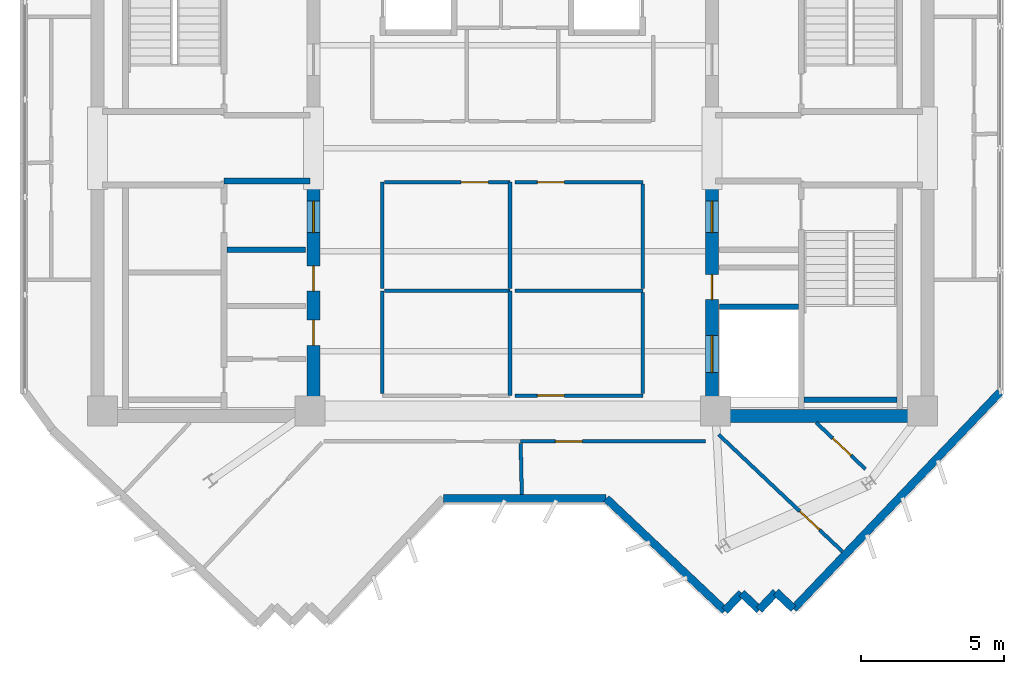
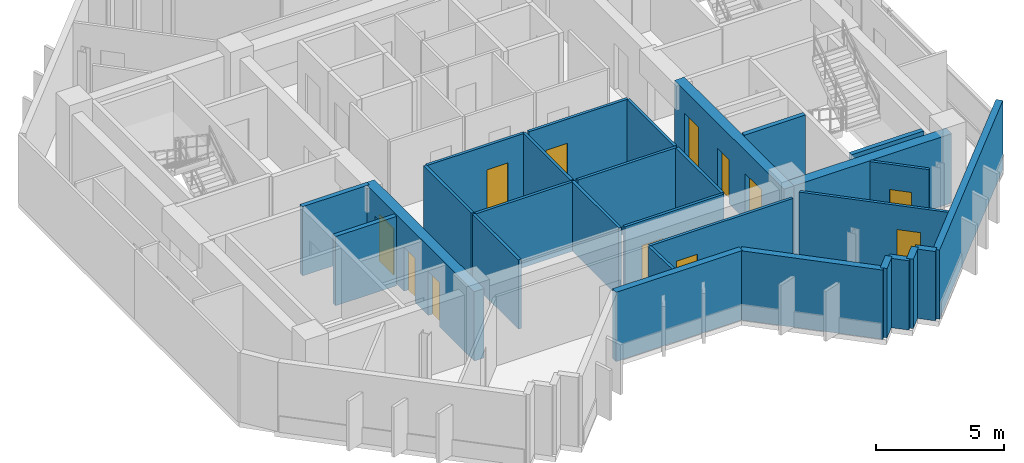
# One storey, part 4 of 9: 29 walls, 12 doors, 12 openings.
"""IFC4 building model written with IfcOpenShell, lengths in metres."""

from ifc_helpers import new_model, si_unit, direction, frame, frame_2d, origin, place, context, subcontext, project, spatial, rectangle, extrude, source, transform, mapped, material, layer, layer_set, type_object, element, fill, save


model = new_model("IFC4")

# Units and contexts
model_context = context("Model", 3, precision=1e-05, world=origin(), true_north=direction((0.0, 1.0)))
body_context = subcontext(model_context, "Body", "Model", "MODEL_VIEW")
ifc_project = project(units=[si_unit("LENGTHUNIT", "METRE"), si_unit("AREAUNIT", "SQUARE_METRE"), si_unit("VOLUMEUNIT", "CUBIC_METRE"), si_unit("PLANEANGLEUNIT", "RADIAN"), si_unit("MASSUNIT", "GRAM", prefix="KILO")], contexts=[model_context])

# Site, building, storey
site_placement = place(None, origin())
site = spatial("IfcSite", under=ifc_project, at=site_placement, CompositionType="ELEMENT")
building_placement = place(site_placement, origin())
building = spatial("IfcBuilding", under=site, at=building_placement, Name="Zahravan Cultural Tower", CompositionType="ELEMENT")
storey_placement = place(building_placement, frame((0.0, 0.0, 310.35009765625)))
storey = spatial("IfcBuildingStorey", under=building, at=storey_placement, Name="L75", CompositionType="ELEMENT", Elevation=310.35009765625)

# Wall, openings, doors
ifc_material_1 = material(Name="Concrete C50/60", Category="concrete")
ifc_layer_1 = layer(ifc_material_1, 0.449951171875)
ifc_layer_set_1 = layer_set([ifc_layer_1], Name="Concrete C50/60")
wall_type_1 = type_object("IfcWallType", Name="CW-SHEAR-450-C50", PredefinedType="SHEAR", material=ifc_layer_set_1)
wall_1_placement = place(storey_placement, frame((29.02490234375, 17.39990234375, 0.0), z_axis=(0.0, 0.0, 1.0), x_axis=(0.0, 1.0, 0.0)))
wall_1 = element("IfcWall", 1, at=wall_1_placement, inside=storey, type_object=wall_type_1, Name="L75 Core Shear Wall CW-W-ES-L75", PredefinedType="SHEAR", context=body_context, shape_type="SweptSolid", body=[
    extrude(rectangle(XDim=8.550048828125, YDim=0.449951171875, at=frame_2d((4.27490234375, 0.0))), origin(), (0.0, 0.0, 1.0), 3.2998046875),
])
opening_1_placement = place(wall_1_placement, frame((6.64990234375, 0.0, 0.0)))
opening_1 = element("IfcOpeningElement", 2, at=opening_1_placement, cuts=wall_1, Name="Opening D-L75-08", PredefinedType="OPENING", context=body_context, shape_type="SweptSolid", body=[
    extrude(rectangle(XDim=1.10009765625, YDim=2.199951171875, at=frame_2d((0.550048828125, 1.10009765625))), frame((0.0, 0.23486328125, 0.0), z_axis=(0.0, -1.0, 0.0), x_axis=(1.0, 0.0, 0.0)), (0.0, 0.0, 1.0), 0.469970703125),
])
opening_2_placement = place(wall_1_placement, frame((2.699951171875, 0.0, 0.0)))
opening_2 = element("IfcOpeningElement", 3, at=opening_2_placement, cuts=wall_1, Name="Opening D-L75-11", PredefinedType="OPENING", context=body_context, shape_type="SweptSolid", body=[
    extrude(rectangle(XDim=0.8798828125, YDim=2.10009765625, at=frame_2d((0.43994140625, 1.050048828125))), frame((0.0, 0.23486328125, 0.0), z_axis=(0.0, -1.0, 0.0), x_axis=(1.0, 0.0, 0.0)), (0.0, 0.0, 1.0), 0.469970703125),
])
opening_3_placement = place(wall_1_placement, frame((4.60009765625, 0.0, 0.0)))
opening_3 = element("IfcOpeningElement", 4, at=opening_3_placement, cuts=wall_1, Name="Opening D-L75-12", PredefinedType="OPENING", context=body_context, shape_type="SweptSolid", body=[
    extrude(rectangle(XDim=0.8798828125, YDim=2.10009765625, at=frame_2d((0.43994140625, 1.050048828125))), frame((0.0, 0.23486328125, 0.0), z_axis=(0.0, -1.0, 0.0), x_axis=(1.0, 0.0, 0.0)), (0.0, 0.0, 1.0), 0.469970703125),
])
ifc_material_2 = material(Name="Steel ASTM A572 Grade 50", Category="steel")
door_type_1 = type_object("IfcDoorType", Name="DR-LOBBY-1100", OperationType="NOTDEFINED", PredefinedType="DOOR", material=ifc_material_2)
shared_shape_1 = source(origin(), body_context, "Body", "SweptSolid", [
    extrude(rectangle(XDim=1.10009765625, YDim=2.199951171875, at=frame_2d((0.550048828125, 1.10009765625))), frame((0.0, 0.02490234375, 0.0), z_axis=(0.0, -1.0, 0.0), x_axis=(1.0, 0.0, 0.0)), (0.0, 0.0, 1.0), 0.050048828125),
])
door_1_placement = place(opening_1_placement, origin())
door_1 = element("IfcDoor", 5, at=door_1_placement, inside=storey, type_object=door_type_1, Name="L75 Door D-L75-08", OperationType="SINGLE_SWING_RIGHT", OverallHeight=2.199951171875, OverallWidth=1.10009765625, PredefinedType="DOOR", context=body_context, shape_type="MappedRepresentation", body=[
    mapped(shared_shape_1, transform((0.0, 0.0, 0.0), x_axis=(1.0, 0.0, 0.0), y_axis=(0.0, 1.0, 0.0), z_axis=(0.0, 0.0, 1.0), scale=1.0)),
])
fill(opening_1, door_1)
door_type_2 = type_object("IfcDoorType", Name="DR-SVC-880", OperationType="NOTDEFINED", PredefinedType="DOOR", material=ifc_material_2)
shared_shape_2 = source(origin(), body_context, "Body", "SweptSolid", [
    extrude(rectangle(XDim=0.8798828125, YDim=2.10009765625, at=frame_2d((0.43994140625, 1.050048828125))), frame((0.0, 0.02490234375, 0.0), z_axis=(0.0, -1.0, 0.0), x_axis=(1.0, 0.0, 0.0)), (0.0, 0.0, 1.0), 0.050048828125),
])
door_2_placement = place(opening_2_placement, origin())
door_2 = element("IfcDoor", 6, at=door_2_placement, inside=storey, type_object=door_type_2, Name="L75 Door D-L75-11", OperationType="SINGLE_SWING_LEFT", OverallHeight=2.10009765625, OverallWidth=0.8798828125, PredefinedType="DOOR", context=body_context, shape_type="MappedRepresentation", body=[
    mapped(shared_shape_2, transform((0.0, 0.0, 0.0), x_axis=(1.0, 0.0, 0.0), y_axis=(0.0, 1.0, 0.0), z_axis=(0.0, 0.0, 1.0), scale=1.0)),
])
fill(opening_2, door_2)
door_3_placement = place(opening_3_placement, origin())
door_3 = element("IfcDoor", 7, at=door_3_placement, inside=storey, type_object=door_type_2, Name="L75 Door D-L75-12", OperationType="SINGLE_SWING_RIGHT", OverallHeight=2.10009765625, OverallWidth=0.8798828125, PredefinedType="DOOR", context=body_context, shape_type="MappedRepresentation", body=[
    mapped(shared_shape_2, transform((0.0, 0.0, 0.0), x_axis=(1.0, 0.0, 0.0), y_axis=(0.0, 1.0, 0.0), z_axis=(0.0, 0.0, 1.0), scale=1.0)),
])
fill(opening_3, door_3)

wall_2_placement = place(storey_placement, frame((42.97509765625, 17.39990234375, 0.0), z_axis=(0.0, 0.0, 1.0), x_axis=(0.0, 1.0, 0.0)))
wall_2 = element("IfcWall", 8, at=wall_2_placement, inside=storey, type_object=wall_type_1, Name="L75 Core Shear Wall CW-E-WS-L75", PredefinedType="SHEAR", context=body_context, shape_type="SweptSolid", body=[
    extrude(rectangle(XDim=8.550048828125, YDim=0.449951171875, at=frame_2d((4.27490234375, 0.0))), origin(), (0.0, 0.0, 1.0), 3.2998046875),
])
opening_4_placement = place(wall_2_placement, frame((6.64990234375, 0.0, 0.0)))
opening_4 = element("IfcOpeningElement", 9, at=opening_4_placement, cuts=wall_2, Name="Opening D-L75-09", PredefinedType="OPENING", context=body_context, shape_type="SweptSolid", body=[
    extrude(rectangle(XDim=1.10009765625, YDim=2.199951171875, at=frame_2d((0.550048828125, 1.10009765625))), frame((0.0, 0.23486328125, 0.0), z_axis=(0.0, -1.0, 0.0), x_axis=(1.0, 0.0, 0.0)), (0.0, 0.0, 1.0), 0.469970703125),
])
opening_5_placement = place(wall_2_placement, frame((1.75, 0.0, 0.0)))
opening_5 = element("IfcOpeningElement", 10, at=opening_5_placement, cuts=wall_2, Name="Opening LD-L75-03", PredefinedType="OPENING", context=body_context, shape_type="SweptSolid", body=[
    extrude(rectangle(XDim=1.300048828125, YDim=2.199951171875, at=frame_2d((0.64990234375, 1.10009765625))), frame((0.0, 0.23486328125, 0.0), z_axis=(0.0, -1.0, 0.0), x_axis=(1.0, 0.0, 0.0)), (0.0, 0.0, 1.0), 0.469970703125),
])
opening_6_placement = place(wall_2_placement, frame((4.300048828125, 0.0, 0.0)))
opening_6 = element("IfcOpeningElement", 11, at=opening_6_placement, cuts=wall_2, Name="Opening D-L75-13", PredefinedType="OPENING", context=body_context, shape_type="SweptSolid", body=[
    extrude(rectangle(XDim=0.8798828125, YDim=2.10009765625, at=frame_2d((0.43994140625, 1.050048828125))), frame((0.0, 0.23486328125, 0.0), z_axis=(0.0, -1.0, 0.0), x_axis=(1.0, 0.0, 0.0)), (0.0, 0.0, 1.0), 0.469970703125),
])
door_4_placement = place(opening_4_placement, origin())
door_4 = element("IfcDoor", 12, at=door_4_placement, inside=storey, type_object=door_type_1, Name="L75 Door D-L75-09", OperationType="SINGLE_SWING_LEFT", OverallHeight=2.199951171875, OverallWidth=1.10009765625, PredefinedType="DOOR", context=body_context, shape_type="MappedRepresentation", body=[
    mapped(shared_shape_1, transform((0.0, 0.0, 0.0), x_axis=(1.0, 0.0, 0.0), y_axis=(0.0, 1.0, 0.0), z_axis=(0.0, 0.0, 1.0), scale=1.0)),
])
fill(opening_4, door_4)
door_type_3 = type_object("IfcDoorType", Name="DR-LIFT-1300", OperationType="DOUBLE_DOOR_SLIDING", PredefinedType="DOOR", material=ifc_material_2)
shared_shape_3 = source(origin(), body_context, "Body", "SweptSolid", [
    extrude(rectangle(XDim=1.300048828125, YDim=2.199951171875, at=frame_2d((0.64990234375, 1.10009765625))), frame((0.0, 0.02490234375, 0.0), z_axis=(0.0, -1.0, 0.0), x_axis=(1.0, 0.0, 0.0)), (0.0, 0.0, 1.0), 0.050048828125),
])
door_5_placement = place(opening_5_placement, origin())
door_5 = element("IfcDoor", 13, at=door_5_placement, inside=storey, type_object=door_type_3, Name="L75 Door LD-L75-03", OperationType="DOUBLE_DOOR_SLIDING", OverallHeight=2.199951171875, OverallWidth=1.300048828125, PredefinedType="DOOR", context=body_context, shape_type="MappedRepresentation", body=[
    mapped(shared_shape_3, transform((0.0, 0.0, 0.0), x_axis=(1.0, 0.0, 0.0), y_axis=(0.0, 1.0, 0.0), z_axis=(0.0, 0.0, 1.0), scale=1.0)),
])
fill(opening_5, door_5)
door_6_placement = place(opening_6_placement, origin())
door_6 = element("IfcDoor", 14, at=door_6_placement, inside=storey, type_object=door_type_2, Name="L75 Door D-L75-13", OperationType="SINGLE_SWING_LEFT", OverallHeight=2.10009765625, OverallWidth=0.8798828125, PredefinedType="DOOR", context=body_context, shape_type="MappedRepresentation", body=[
    mapped(shared_shape_2, transform((0.0, 0.0, 0.0), x_axis=(1.0, 0.0, 0.0), y_axis=(0.0, 1.0, 0.0), z_axis=(0.0, 0.0, 1.0), scale=1.0)),
])
fill(opening_6, door_6)

# Wall, opening, door
ifc_material_3 = material(Name="Gypsum plasterboard partition")
ifc_layer_2 = layer(ifc_material_3, 0.125)
ifc_layer_set_2 = layer_set([ifc_layer_2], Name="Gypsum plasterboard partition")
wall_type_2 = type_object("IfcWallType", Name="W-PART-125", PredefinedType="PARTITIONING", material=ifc_layer_set_2)
wall_3_placement = place(storey_placement, frame((48.348876953125, 15.769287109375, 0.0), z_axis=(0.0, 0.0, 1.0), x_axis=(-0.726735597886, 0.686917295433, 0.0)))
wall_3 = element("IfcWall", 15, at=wall_3_placement, inside=storey, type_object=wall_type_2, Name="L75 Interior Wall 052", PredefinedType="PARTITIONING", context=body_context, shape_type="SweptSolid", body=[
    extrude(rectangle(XDim=2.36669921875, YDim=0.125, at=frame_2d((1.183349609375, 0.0))), origin(), (0.0, 0.0, 1.0), 3.2998046875),
])
opening_7_placement = place(wall_3_placement, frame((0.6923828125, 0.0, 0.0)))
opening_7 = element("IfcOpeningElement", 16, at=opening_7_placement, cuts=wall_3, Name="Opening D-L75-37", PredefinedType="OPENING", context=body_context, shape_type="SweptSolid", body=[
    extrude(rectangle(XDim=0.8798828125, YDim=2.10009765625, at=frame_2d((0.43994140625, 1.050048828125))), frame((0.0, 0.072509765625, 0.0), z_axis=(0.0, -1.0, 0.0), x_axis=(1.0, 0.0, 0.0)), (0.0, 0.0, 1.0), 0.14501953125),
])
ifc_material_4 = material(Name="Anodised bronze-aluminium mullion", Category="aluminium")
door_type_4 = type_object("IfcDoorType", Name="DR-ROOM-880", OperationType="NOTDEFINED", PredefinedType="DOOR", material=ifc_material_4)
door_7_placement = place(opening_7_placement, origin())
door_7 = element("IfcDoor", 17, at=door_7_placement, inside=storey, type_object=door_type_4, Name="L75 Door D-L75-37", OperationType="SINGLE_SWING_LEFT", OverallHeight=2.10009765625, OverallWidth=0.8798828125, PredefinedType="DOOR", context=body_context, shape_type="MappedRepresentation", body=[
    mapped(shared_shape_2, transform((0.0, 0.0, 0.0), x_axis=(1.0, 0.0, 0.0), y_axis=(0.0, 1.0, 0.0), z_axis=(0.0, 0.0, 1.0), scale=1.0)),
])
fill(opening_7, door_7)

wall_4_placement = place(storey_placement, frame((47.54443359375, 12.88330078125, 0.0), z_axis=(0.0, 0.0, 1.0), x_axis=(-0.726761082497, 0.686890332562, 0.0)))
wall_4 = element("IfcWall", 18, at=wall_4_placement, inside=storey, type_object=wall_type_2, Name="L75 Interior Wall 061", PredefinedType="PARTITIONING", context=body_context, shape_type="SweptSolid", body=[
    extrude(rectangle(XDim=5.964111328125, YDim=0.125, at=frame_2d((2.98193359375, 0.0))), origin(), (0.0, 0.0, 1.0), 3.2998046875),
])
opening_8_placement = place(wall_4_placement, frame((1.10302734375, 0.0, 0.0)))
opening_8 = element("IfcOpeningElement", 19, at=opening_8_placement, cuts=wall_4, Name="Opening D-L75-35", PredefinedType="OPENING", context=body_context, shape_type="SweptSolid", body=[
    extrude(rectangle(XDim=0.949951171875, YDim=2.14990234375, at=frame_2d((0.47509765625, 1.074951171875))), frame((0.0, 0.072509765625, 0.0), z_axis=(0.0, -1.0, 0.0), x_axis=(1.0, 0.0, 0.0)), (0.0, 0.0, 1.0), 0.14501953125),
])
door_type_5 = type_object("IfcDoorType", Name="DR-ROOM-950", OperationType="NOTDEFINED", PredefinedType="DOOR", material=ifc_material_4)
shared_shape_4 = source(origin(), body_context, "Body", "SweptSolid", [
    extrude(rectangle(XDim=0.949951171875, YDim=2.14990234375, at=frame_2d((0.47509765625, 1.074951171875))), frame((0.0, 0.02490234375, 0.0), z_axis=(0.0, -1.0, 0.0), x_axis=(1.0, 0.0, 0.0)), (0.0, 0.0, 1.0), 0.050048828125),
])
door_8_placement = place(opening_8_placement, origin())
door_8 = element("IfcDoor", 20, at=door_8_placement, inside=storey, type_object=door_type_5, Name="L75 Door D-L75-35", OperationType="SINGLE_SWING_LEFT", OverallHeight=2.14990234375, OverallWidth=0.949951171875, PredefinedType="DOOR", context=body_context, shape_type="MappedRepresentation", body=[
    mapped(shared_shape_4, transform((0.0, 0.0, 0.0), x_axis=(1.0, 0.0, 0.0), y_axis=(0.0, 1.0, 0.0), z_axis=(0.0, 0.0, 1.0), scale=1.0)),
])
fill(opening_8, door_8)

wall_5_placement = place(storey_placement, frame((40.56005859375, 18.340087890625, 0.0), z_axis=(0.0, 0.0, 1.0), x_axis=(-1.0, 0.0, 0.0)))
wall_5 = element("IfcWall", 21, at=wall_5_placement, inside=storey, type_object=wall_type_2, Name="L75 Interior Wall 066", PredefinedType="PARTITIONING", context=body_context, shape_type="SweptSolid", body=[
    extrude(rectangle(XDim=4.469970703125, YDim=0.125, at=frame_2d((2.23486328125, 0.0))), origin(), (0.0, 0.0, 1.0), 3.2998046875),
])
opening_9_placement = place(wall_5_placement, frame((2.74560546875, 0.0, 0.0)))
opening_9 = element("IfcOpeningElement", 22, at=opening_9_placement, cuts=wall_5, Name="Opening D-L75-16", PredefinedType="OPENING", context=body_context, shape_type="SweptSolid", body=[
    extrude(rectangle(XDim=0.949951171875, YDim=2.14990234375, at=frame_2d((0.47509765625, 1.074951171875))), frame((0.0, 0.072509765625, 0.0), z_axis=(0.0, -1.0, 0.0), x_axis=(1.0, 0.0, 0.0)), (0.0, 0.0, 1.0), 0.14501953125),
])
door_9_placement = place(opening_9_placement, origin())
door_9 = element("IfcDoor", 23, at=door_9_placement, inside=storey, type_object=door_type_5, Name="L75 Door D-L75-16", OperationType="SINGLE_SWING_RIGHT", OverallHeight=2.14990234375, OverallWidth=0.949951171875, PredefinedType="DOOR", context=body_context, shape_type="MappedRepresentation", body=[
    mapped(shared_shape_4, transform((0.0, 0.0, 0.0), x_axis=(1.0, 0.0, 0.0), y_axis=(0.0, 1.0, 0.0), z_axis=(0.0, 0.0, 1.0), scale=1.0)),
])
fill(opening_9, door_9)

wall_6_placement = place(storey_placement, frame((31.507568359375, 25.81005859375, 0.0), z_axis=(0.0, 0.0, 1.0), x_axis=(1.0, 0.0, 0.0)))
wall_6 = element("IfcWall", 24, at=wall_6_placement, inside=storey, type_object=wall_type_2, Name="L75 Interior Wall 070", PredefinedType="PARTITIONING", context=body_context, shape_type="SweptSolid", body=[
    extrude(rectangle(XDim=4.40234375, YDim=0.125, at=frame_2d((2.201171875, 0.0))), origin(), (0.0, 0.0, 1.0), 3.2998046875),
])
opening_10_placement = place(wall_6_placement, frame((2.69287109375, 0.0, 0.0)))
opening_10 = element("IfcOpeningElement", 25, at=opening_10_placement, cuts=wall_6, Name="Opening D-L75-15", PredefinedType="OPENING", context=body_context, shape_type="SweptSolid", body=[
    extrude(rectangle(XDim=0.949951171875, YDim=2.14990234375, at=frame_2d((0.47509765625, 1.074951171875))), frame((0.0, 0.072509765625, 0.0), z_axis=(0.0, -1.0, 0.0), x_axis=(1.0, 0.0, 0.0)), (0.0, 0.0, 1.0), 0.14501953125),
])
door_10_placement = place(opening_10_placement, origin())
door_10 = element("IfcDoor", 26, at=door_10_placement, inside=storey, type_object=door_type_5, Name="L75 Door D-L75-15", OperationType="SINGLE_SWING_LEFT", OverallHeight=2.14990234375, OverallWidth=0.949951171875, PredefinedType="DOOR", context=body_context, shape_type="MappedRepresentation", body=[
    mapped(shared_shape_4, transform((0.0, 0.0, 0.0), x_axis=(1.0, 0.0, 0.0), y_axis=(0.0, 1.0, 0.0), z_axis=(0.0, 0.0, 1.0), scale=1.0)),
])
fill(opening_10, door_10)

wall_7_placement = place(storey_placement, frame((36.090087890625, 25.81005859375, 0.0), z_axis=(0.0, 0.0, 1.0), x_axis=(1.0, 0.0, 0.0)))
wall_7 = element("IfcWall", 27, at=wall_7_placement, inside=storey, type_object=wall_type_2, Name="L75 Interior Wall 072", PredefinedType="PARTITIONING", context=body_context, shape_type="SweptSolid", body=[
    extrude(rectangle(XDim=4.469970703125, YDim=0.125, at=frame_2d((2.23486328125, 0.0))), origin(), (0.0, 0.0, 1.0), 3.2998046875),
])
opening_11_placement = place(wall_7_placement, frame((0.7744140625, 0.0, 0.0)))
opening_11 = element("IfcOpeningElement", 28, at=opening_11_placement, cuts=wall_7, Name="Opening D-L75-17", PredefinedType="OPENING", context=body_context, shape_type="SweptSolid", body=[
    extrude(rectangle(XDim=0.949951171875, YDim=2.14990234375, at=frame_2d((0.47509765625, 1.074951171875))), frame((0.0, 0.072509765625, 0.0), z_axis=(0.0, -1.0, 0.0), x_axis=(1.0, 0.0, 0.0)), (0.0, 0.0, 1.0), 0.14501953125),
])
door_11_placement = place(opening_11_placement, origin())
door_11 = element("IfcDoor", 29, at=door_11_placement, inside=storey, type_object=door_type_5, Name="L75 Door D-L75-17", OperationType="SINGLE_SWING_LEFT", OverallHeight=2.14990234375, OverallWidth=0.949951171875, PredefinedType="DOOR", context=body_context, shape_type="MappedRepresentation", body=[
    mapped(shared_shape_4, transform((0.0, 0.0, 0.0), x_axis=(1.0, 0.0, 0.0), y_axis=(0.0, 1.0, 0.0), z_axis=(0.0, 0.0, 1.0), scale=1.0)),
])
fill(opening_11, door_11)

wall_8_placement = place(storey_placement, frame((36.27978515625, 16.739990234375, 0.0), z_axis=(0.0, 0.0, 1.0), x_axis=(1.0, 0.0, 0.0)))
wall_8 = element("IfcWall", 30, at=wall_8_placement, inside=storey, type_object=wall_type_2, Name="L75 Interior Wall 092", PredefinedType="PARTITIONING", context=body_context, shape_type="SweptSolid", body=[
    extrude(rectangle(XDim=6.46435546875, YDim=0.125, at=frame_2d((3.232177734375, 0.0))), origin(), (0.0, 0.0, 1.0), 3.2998046875),
])
opening_12_placement = place(wall_8_placement, frame((1.213134765625, 0.0, 0.0)))
opening_12 = element("IfcOpeningElement", 31, at=opening_12_placement, cuts=wall_8, Name="Opening D-L75-29", PredefinedType="OPENING", context=body_context, shape_type="SweptSolid", body=[
    extrude(rectangle(XDim=0.949951171875, YDim=2.14990234375, at=frame_2d((0.47509765625, 1.074951171875))), frame((0.0, 0.072509765625, 0.0), z_axis=(0.0, -1.0, 0.0), x_axis=(1.0, 0.0, 0.0)), (0.0, 0.0, 1.0), 0.14501953125),
])
door_12_placement = place(opening_12_placement, origin())
door_12 = element("IfcDoor", 32, at=door_12_placement, inside=storey, type_object=door_type_5, Name="L75 Door D-L75-29", OperationType="SINGLE_SWING_LEFT", OverallHeight=2.14990234375, OverallWidth=0.949951171875, PredefinedType="DOOR", context=body_context, shape_type="MappedRepresentation", body=[
    mapped(shared_shape_4, transform((0.0, 0.0, 0.0), x_axis=(1.0, 0.0, 0.0), y_axis=(0.0, 1.0, 0.0), z_axis=(0.0, 0.0, 1.0), scale=1.0)),
])
fill(opening_12, door_12)

# Walls
shared_shape_5 = source(origin(), body_context, "Body", "SweptSolid", [
    extrude(rectangle(XDim=7.10009765625, YDim=0.449951171875, at=frame_2d((3.550048828125, 0.0))), origin(), (0.0, 0.0, 1.0), 3.2998046875),
])
wall_9_placement = place(storey_placement, frame((43.199951171875, 17.625, 0.0), z_axis=(0.0, 0.0, 1.0), x_axis=(1.0, 0.0, 0.0)))
element("IfcWall", 33, at=wall_9_placement, inside=storey, type_object=wall_type_1, Name="L75 Core Shear Wall CW-E-S-L75", PredefinedType="SHEAR", context=body_context, shape_type="MappedRepresentation", body=[
    mapped(shared_shape_5, transform((0.0, 0.0, 0.0), x_axis=(1.0, 0.0, 0.0), y_axis=(0.0, 1.0, 0.0), z_axis=(0.0, 0.0, 1.0), scale=1.0)),
])
ifc_material_5 = material(Name="Precast concrete C40/50", Category="concrete")
ifc_layer_3 = layer(ifc_material_5, 0.280029296875)
ifc_layer_set_3 = layer_set([ifc_layer_3], Name="Precast concrete C40/50")
wall_type_3 = type_object("IfcWallType", Name="EW-TC-280", PredefinedType="SOLIDWALL", material=ifc_layer_set_3)
shared_shape_6 = source(origin(), body_context, "Body", "SweptSolid", [
    extrude(rectangle(XDim=0.849853515625, YDim=0.280029296875, at=frame_2d((0.4248046875, 0.0))), origin(), (0.0, 0.0, 1.0), 3.2998046875),
])
for number, where, z_axis, x_axis, name in (
    (34, (45.8349609375, 10.88037109375, 0.0), (0.0, 0.0, 1.0), (-0.726790047388, 0.686859685101, 0.0), "L75 Exterior Masonry Frame Wall 09"),
    (35, (44.63330078125, 10.846435546875, 0.0), (0.0, 0.0, 1.0), (-0.726790047388, 0.686859685101, 0.0), "L75 Exterior Masonry Frame Wall 11"),
):
    element("IfcWall", number, at=place(storey_placement, frame(where, z_axis=z_axis, x_axis=x_axis)), inside=storey, type_object=wall_type_3, Name=name, PredefinedType="SOLIDWALL", context=body_context, shape_type="MappedRepresentation", body=[
        mapped(shared_shape_6, transform((0.0, 0.0, 0.0), x_axis=(1.0, 0.0, 0.0), y_axis=(0.0, 1.0, 0.0), z_axis=(0.0, 0.0, 1.0), scale=1.0)),
    ])
shared_shape_7 = source(origin(), body_context, "Body", "SweptSolid", [
    extrude(rectangle(XDim=0.85009765625, YDim=0.280029296875, at=frame_2d((0.425048828125, 0.0))), origin(), (0.0, 0.0, 1.0), 3.2998046875),
])
for number, where, z_axis, x_axis, name in (
    (36, (45.21728515625, 11.464111328125, 0.0), (0.0, 0.0, 1.0), (-0.687011382404, -0.726646654466, 0.0), "L75 Exterior Masonry Frame Wall 10"),
    (37, (44.015625, 11.43017578125, 0.0), (0.0, 0.0, 1.0), (-0.687011382404, -0.726646654466, 0.0), "L75 Exterior Masonry Frame Wall 12"),
):
    element("IfcWall", number, at=place(storey_placement, frame(where, z_axis=z_axis, x_axis=x_axis)), inside=storey, type_object=wall_type_3, Name=name, PredefinedType="SOLIDWALL", context=body_context, shape_type="MappedRepresentation", body=[
        mapped(shared_shape_7, transform((0.0, 0.0, 0.0), x_axis=(1.0, 0.0, 0.0), y_axis=(0.0, 1.0, 0.0), z_axis=(0.0, 0.0, 1.0), scale=1.0)),
    ])
shared_shape_8 = source(origin(), body_context, "Body", "SweptSolid", [
    extrude(rectangle(XDim=10.469970703125, YDim=0.280029296875, at=frame_2d((5.23486328125, 0.0))), origin(), (0.0, 0.0, 1.0), 3.2998046875),
])
wall_10_placement = place(storey_placement, frame((53.06005859375, 18.4580078125, 0.0), z_axis=(0.0, 0.0, 1.0), x_axis=(-0.690070788875, -0.723741878256, 0.0)))
element("IfcWall", 38, at=wall_10_placement, inside=storey, type_object=wall_type_3, Name="L75 Exterior Masonry Frame Wall 08", PredefinedType="SOLIDWALL", context=body_context, shape_type="MappedRepresentation", body=[
    mapped(shared_shape_8, transform((0.0, 0.0, 0.0), x_axis=(1.0, 0.0, 0.0), y_axis=(0.0, 1.0, 0.0), z_axis=(0.0, 0.0, 1.0), scale=1.0)),
])
shared_shape_9 = source(origin(), body_context, "Body", "SweptSolid", [
    extrude(rectangle(XDim=5.7177734375, YDim=0.280029296875, at=frame_2d((2.85888671875, 0.0))), origin(), (0.0, 0.0, 1.0), 3.2998046875),
])
wall_11_placement = place(storey_placement, frame((43.431640625, 10.8125, 0.0), z_axis=(0.0, 0.0, 1.0), x_axis=(-0.726765623086, 0.686885528382, 0.0)))
element("IfcWall", 39, at=wall_11_placement, inside=storey, type_object=wall_type_3, Name="L75 Exterior Masonry Frame Wall 13", PredefinedType="SOLIDWALL", context=body_context, shape_type="MappedRepresentation", body=[
    mapped(shared_shape_9, transform((0.0, 0.0, 0.0), x_axis=(1.0, 0.0, 0.0), y_axis=(0.0, 1.0, 0.0), z_axis=(0.0, 0.0, 1.0), scale=1.0)),
])
shared_shape_10 = source(origin(), body_context, "Body", "SweptSolid", [
    extrude(rectangle(XDim=5.69921875, YDim=0.280029296875, at=frame_2d((2.849609375, 0.0))), origin(), (0.0, 0.0, 1.0), 3.2998046875),
])
wall_12_placement = place(storey_placement, frame((39.276123046875, 14.739990234375, 0.0), z_axis=(0.0, 0.0, 1.0), x_axis=(-1.0, 0.0, 0.0)))
element("IfcWall", 40, at=wall_12_placement, inside=storey, type_object=wall_type_3, Name="L75 Exterior Masonry Frame Wall 14", PredefinedType="SOLIDWALL", context=body_context, shape_type="MappedRepresentation", body=[
    mapped(shared_shape_10, transform((0.0, 0.0, 0.0), x_axis=(1.0, 0.0, 0.0), y_axis=(0.0, 1.0, 0.0), z_axis=(0.0, 0.0, 1.0), scale=1.0)),
])
ifc_material_6 = material(Name="Concrete C45/55", Category="concrete")
ifc_layer_4 = layer(ifc_material_6, 0.199951171875)
ifc_layer_set_4 = layer_set([ifc_layer_4], Name="Concrete C45/55")
wall_type_4 = type_object("IfcWallType", Name="W-SHAFT-200", PredefinedType="SOLIDWALL", material=ifc_layer_set_4)
shared_shape_11 = source(origin(), body_context, "Body", "SweptSolid", [
    extrude(rectangle(XDim=3.0, YDim=0.199951171875, at=frame_2d((1.5, 0.0))), origin(), (0.0, 0.0, 1.0), 3.2998046875),
])
wall_13_placement = place(storey_placement, frame((25.89990234375, 25.85009765625, 0.0), z_axis=(0.0, 0.0, 1.0), x_axis=(1.0, 0.0, 0.0)))
element("IfcWall", 41, at=wall_13_placement, inside=storey, type_object=wall_type_4, Name="L75 Interior Wall 010", PredefinedType="SOLIDWALL", context=body_context, shape_type="MappedRepresentation", body=[
    mapped(shared_shape_11, transform((0.0, 0.0, 0.0), x_axis=(1.0, 0.0, 0.0), y_axis=(0.0, 1.0, 0.0), z_axis=(0.0, 0.0, 1.0), scale=1.0)),
])
shared_shape_12 = source(origin(), body_context, "Body", "SweptSolid", [
    extrude(rectangle(XDim=3.25, YDim=0.199951171875, at=frame_2d((1.625, 0.0))), origin(), (0.0, 0.0, 1.0), 3.2998046875),
])
wall_14_placement = place(storey_placement, frame((46.199951171875, 18.199951171875, 0.0), z_axis=(0.0, 0.0, 1.0), x_axis=(1.0, 0.0, 0.0)))
element("IfcWall", 42, at=wall_14_placement, inside=storey, type_object=wall_type_4, Name="L75 Interior Wall 020", PredefinedType="SOLIDWALL", context=body_context, shape_type="MappedRepresentation", body=[
    mapped(shared_shape_12, transform((0.0, 0.0, 0.0), x_axis=(1.0, 0.0, 0.0), y_axis=(0.0, 1.0, 0.0), z_axis=(0.0, 0.0, 1.0), scale=1.0)),
])
shared_shape_13 = source(origin(), body_context, "Body", "SweptSolid", [
    extrude(rectangle(XDim=2.75, YDim=0.199951171875, at=frame_2d((1.375, 0.0))), origin(), (0.0, 0.0, 1.0), 3.2998046875),
])
for number, where, z_axis, x_axis, name in (
    (43, (26.0, 23.449951171875, 0.0), (0.0, 0.0, 1.0), (1.0, 0.0, 0.0), "L75 Interior Wall 024"),
    (44, (43.25, 21.449951171875, 0.0), (0.0, 0.0, 1.0), (1.0, 0.0, 0.0), "L75 Interior Wall 026"),
):
    element("IfcWall", number, at=place(storey_placement, frame(where, z_axis=z_axis, x_axis=x_axis)), inside=storey, type_object=wall_type_4, Name=name, PredefinedType="SOLIDWALL", context=body_context, shape_type="MappedRepresentation", body=[
        mapped(shared_shape_13, transform((0.0, 0.0, 0.0), x_axis=(1.0, 0.0, 0.0), y_axis=(0.0, 1.0, 0.0), z_axis=(0.0, 0.0, 1.0), scale=1.0)),
    ])
shared_shape_14 = source(origin(), body_context, "Body", "SweptSolid", [
    extrude(rectangle(XDim=3.6025390625, YDim=0.125, at=frame_2d((1.80126953125, 0.0))), origin(), (0.0, 0.0, 1.0), 3.2998046875),
])
wall_15_placement = place(storey_placement, frame((31.43994140625, 18.407470703125, 0.0), z_axis=(0.0, 0.0, 1.0), x_axis=(0.0, 1.0, 0.0)))
element("IfcWall", 45, at=wall_15_placement, inside=storey, type_object=wall_type_2, Name="L75 Interior Wall 063", PredefinedType="PARTITIONING", context=body_context, shape_type="MappedRepresentation", body=[
    mapped(shared_shape_14, transform((0.0, 0.0, 0.0), x_axis=(1.0, 0.0, 0.0), y_axis=(0.0, 1.0, 0.0), z_axis=(0.0, 0.0, 1.0), scale=1.0)),
])
shared_shape_15 = source(origin(), body_context, "Body", "SweptSolid", [
    extrude(rectangle(XDim=4.40234375, YDim=0.125, at=frame_2d((2.201171875, 0.0))), origin(), (0.0, 0.0, 1.0), 3.2998046875),
])
wall_16_placement = place(storey_placement, frame((31.507568359375, 22.010009765625, 0.0), z_axis=(0.0, 0.0, 1.0), x_axis=(1.0, 0.0, 0.0)))
element("IfcWall", 46, at=wall_16_placement, inside=storey, type_object=wall_type_2, Name="L75 Interior Wall 064", PredefinedType="PARTITIONING", context=body_context, shape_type="MappedRepresentation", body=[
    mapped(shared_shape_15, transform((0.0, 0.0, 0.0), x_axis=(1.0, 0.0, 0.0), y_axis=(0.0, 1.0, 0.0), z_axis=(0.0, 0.0, 1.0), scale=1.0)),
])
shared_shape_16 = source(origin(), body_context, "Body", "SweptSolid", [
    extrude(rectangle(XDim=3.669921875, YDim=0.125, at=frame_2d((1.8349609375, 0.0))), origin(), (0.0, 0.0, 1.0), 3.2998046875),
])
wall_17_placement = place(storey_placement, frame((35.909912109375, 22.010009765625, 0.0), z_axis=(0.0, 0.0, 1.0), x_axis=(0.0, -1.0, 0.0)))
element("IfcWall", 47, at=wall_17_placement, inside=storey, type_object=wall_type_2, Name="L75 Interior Wall 065", PredefinedType="PARTITIONING", context=body_context, shape_type="MappedRepresentation", body=[
    mapped(shared_shape_16, transform((0.0, 0.0, 0.0), x_axis=(1.0, 0.0, 0.0), y_axis=(0.0, 1.0, 0.0), z_axis=(0.0, 0.0, 1.0), scale=1.0)),
])
shared_shape_17 = source(origin(), body_context, "Body", "SweptSolid", [
    extrude(rectangle(XDim=4.469970703125, YDim=0.125, at=frame_2d((2.23486328125, 0.0))), origin(), (0.0, 0.0, 1.0), 3.2998046875),
])
wall_18_placement = place(storey_placement, frame((36.090087890625, 22.010009765625, 0.0), z_axis=(0.0, 0.0, 1.0), x_axis=(1.0, 0.0, 0.0)))
element("IfcWall", 48, at=wall_18_placement, inside=storey, type_object=wall_type_2, Name="L75 Interior Wall 067", PredefinedType="PARTITIONING", context=body_context, shape_type="MappedRepresentation", body=[
    mapped(shared_shape_17, transform((0.0, 0.0, 0.0), x_axis=(1.0, 0.0, 0.0), y_axis=(0.0, 1.0, 0.0), z_axis=(0.0, 0.0, 1.0), scale=1.0)),
])
shared_shape_18 = source(origin(), body_context, "Body", "SweptSolid", [
    extrude(rectangle(XDim=3.534912109375, YDim=0.125, at=frame_2d((1.767578125, 0.0))), origin(), (0.0, 0.0, 1.0), 3.2998046875),
])
wall_19_placement = place(storey_placement, frame((40.56005859375, 21.9423828125, 0.0), z_axis=(0.0, 0.0, 1.0), x_axis=(0.0, -1.0, 0.0)))
element("IfcWall", 49, at=wall_19_placement, inside=storey, type_object=wall_type_2, Name="L75 Interior Wall 068", PredefinedType="PARTITIONING", context=body_context, shape_type="MappedRepresentation", body=[
    mapped(shared_shape_18, transform((0.0, 0.0, 0.0), x_axis=(1.0, 0.0, 0.0), y_axis=(0.0, 1.0, 0.0), z_axis=(0.0, 0.0, 1.0), scale=1.0)),
])
shared_shape_19 = source(origin(), body_context, "Body", "SweptSolid", [
    extrude(rectangle(XDim=3.719970703125, YDim=0.125, at=frame_2d((1.85986328125, 0.0))), origin(), (0.0, 0.0, 1.0), 3.2998046875),
])
for number, where, z_axis, x_axis, name in (
    (50, (31.43994140625, 22.090087890625, 0.0), (0.0, 0.0, 1.0), (0.0, 1.0, 0.0), "L75 Interior Wall 069"),
    (51, (35.909912109375, 25.81005859375, 0.0), (0.0, 0.0, 1.0), (0.0, -1.0, 0.0), "L75 Interior Wall 071"),
):
    element("IfcWall", number, at=place(storey_placement, frame(where, z_axis=z_axis, x_axis=x_axis)), inside=storey, type_object=wall_type_2, Name=name, PredefinedType="PARTITIONING", context=body_context, shape_type="MappedRepresentation", body=[
        mapped(shared_shape_19, transform((0.0, 0.0, 0.0), x_axis=(1.0, 0.0, 0.0), y_axis=(0.0, 1.0, 0.0), z_axis=(0.0, 0.0, 1.0), scale=1.0)),
    ])
shared_shape_20 = source(origin(), body_context, "Body", "SweptSolid", [
    extrude(rectangle(XDim=3.65234375, YDim=0.125, at=frame_2d((1.826171875, 0.0))), origin(), (0.0, 0.0, 1.0), 3.2998046875),
])
wall_20_placement = place(storey_placement, frame((40.56005859375, 25.742431640625, 0.0), z_axis=(0.0, 0.0, 1.0), x_axis=(0.0, -1.0, 0.0)))
element("IfcWall", 52, at=wall_20_placement, inside=storey, type_object=wall_type_2, Name="L75 Interior Wall 073", PredefinedType="PARTITIONING", context=body_context, shape_type="MappedRepresentation", body=[
    mapped(shared_shape_20, transform((0.0, 0.0, 0.0), x_axis=(1.0, 0.0, 0.0), y_axis=(0.0, 1.0, 0.0), z_axis=(0.0, 0.0, 1.0), scale=1.0)),
])
shared_shape_21 = source(origin(), body_context, "Body", "SweptSolid", [
    extrude(rectangle(XDim=1.7880859375, YDim=0.125, at=frame_2d((0.89404296875, 0.0))), origin(), (0.0, 0.0, 1.0), 3.2998046875),
])
wall_21_placement = place(storey_placement, frame((36.3232421875, 14.885009765625, 0.0), z_axis=(0.0, 0.0, 1.0), x_axis=(-0.023484370815, 0.999724204132, 0.0)))
element("IfcWall", 53, at=wall_21_placement, inside=storey, type_object=wall_type_2, Name="L75 Interior Wall 093", PredefinedType="PARTITIONING", context=body_context, shape_type="MappedRepresentation", body=[
    mapped(shared_shape_21, transform((0.0, 0.0, 0.0), x_axis=(1.0, 0.0, 0.0), y_axis=(0.0, 1.0, 0.0), z_axis=(0.0, 0.0, 1.0), scale=1.0)),
])

save(model, "model.ifc")
